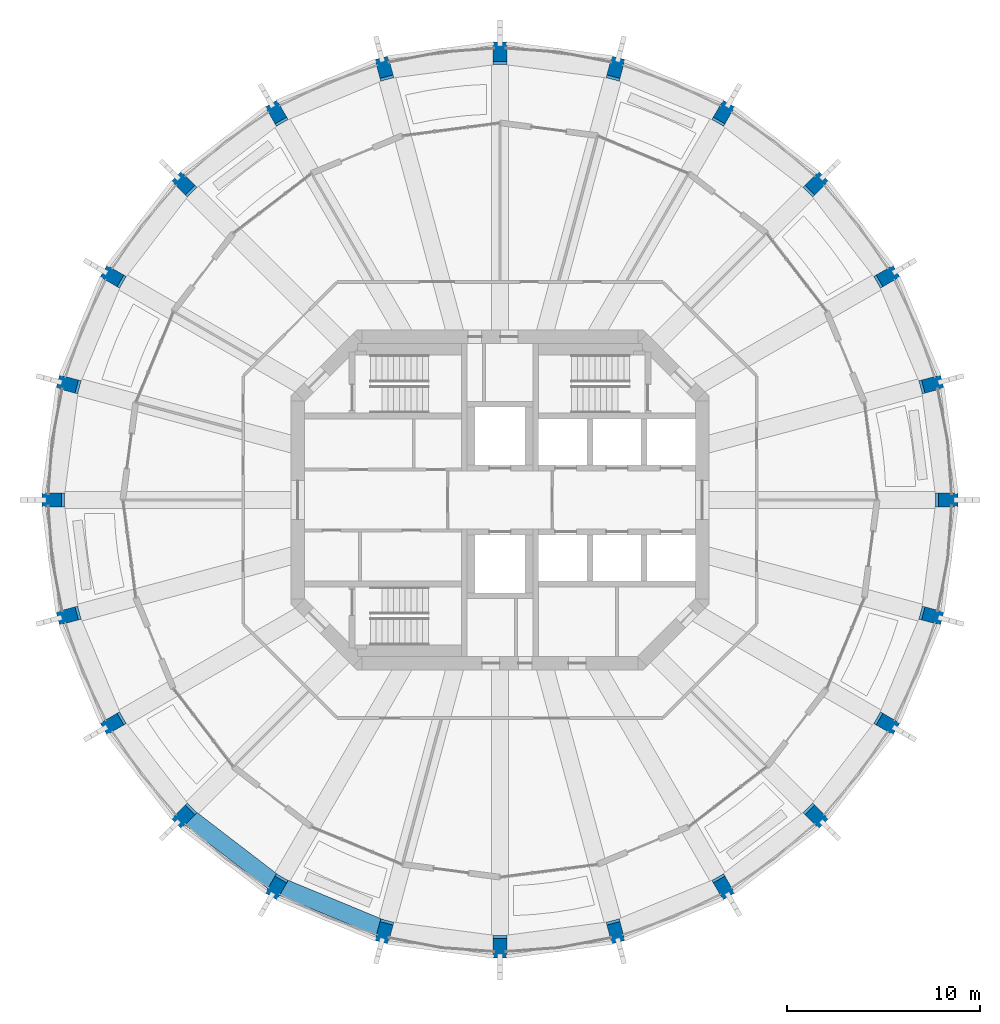
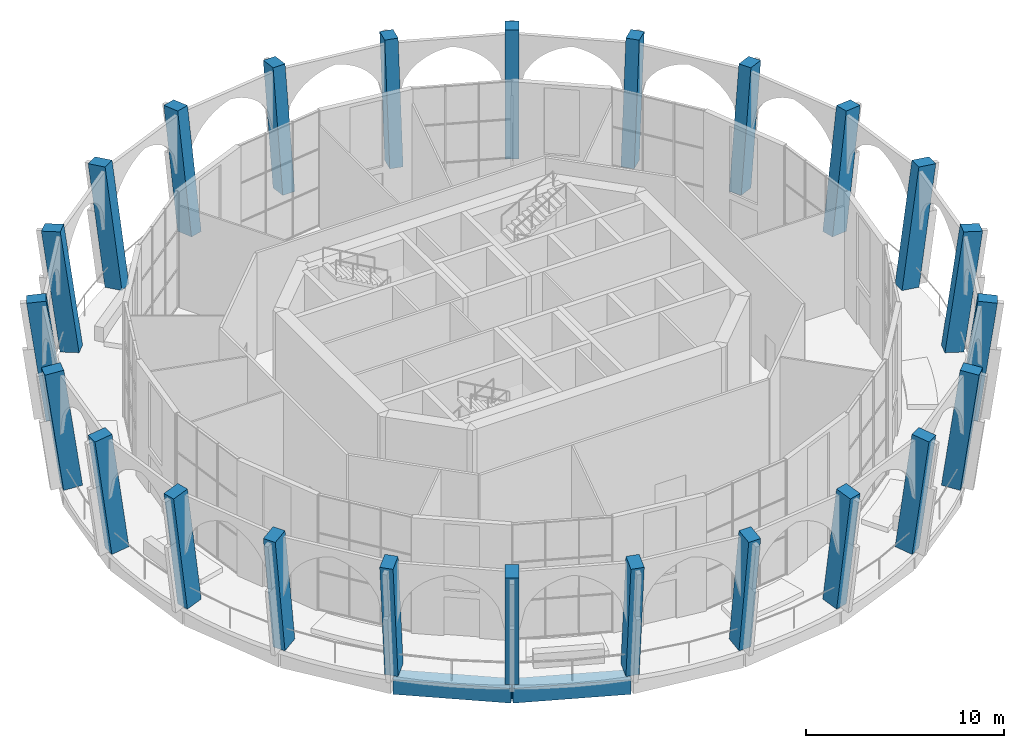
# One storey, part 1 of 16: 24 columns, 2 beams.
"""IFC4 building model written with IfcOpenShell, lengths in metres."""

from ifc_helpers import new_model, si_unit, direction, frame, origin, origin_2d, place, context, subcontext, project, spatial, rectangle, extrude, material, material_profile, profile_set, type_object, element, save


model = new_model("IFC4")

# Units and contexts
model_context = context("Model", 3, precision=1e-05, world=origin(), true_north=direction((0.0, 1.0)))
body_context = subcontext(model_context, "Body", "Model", "MODEL_VIEW")
ifc_project = project(units=[si_unit("LENGTHUNIT", "METRE"), si_unit("AREAUNIT", "SQUARE_METRE"), si_unit("VOLUMEUNIT", "CUBIC_METRE"), si_unit("PLANEANGLEUNIT", "RADIAN"), si_unit("MASSUNIT", "GRAM", prefix="KILO")], contexts=[model_context])

# Site, building, storey
site_placement = place(None, origin())
site = spatial("IfcSite", under=ifc_project, at=site_placement, CompositionType="ELEMENT")
building_placement = place(site_placement, origin())
building = spatial("IfcBuilding", under=site, at=building_placement, Name="Torre Triforio", CompositionType="ELEMENT")
storey_placement = place(building_placement, frame((0.0, 0.0, 218.699951171875)))
storey = spatial("IfcBuildingStorey", under=building, at=storey_placement, Name="L50", CompositionType="ELEMENT", Elevation=218.699951171875)

# Columns
ifc_material_1 = material(Name="Concrete C50", Category="concrete")
ifc_material_profile_1 = material_profile(ifc_material_1, rectangle(XDim=0.699951171875, YDim=1.0, at=origin_2d()), Name="RC 700x1000")
ifc_profile_set_1 = profile_set([ifc_material_profile_1], Name="Concrete C50")
column_type = type_object("IfcColumnType", Name="Pier RC 700x1000 C50", PredefinedType="COLUMN", material=ifc_profile_set_1)
for number, where, z_axis, x_axis, name in (
    (1, (23.009033203125, 0.0, 0.06689453125), (0.133921431143, 0.0, 0.990991952682), (0.0, 1.0, 0.0), "COL.R.L50.00"),
    (2, (22.22509765625, 5.955078125, 0.06689453125), (0.129359681322, 0.034662401096, 0.990991720853), (-0.258823078531, 0.965924745526, 0.0), "COL.R.L50.01"),
):
    element("IfcColumn", number, at=place(storey_placement, frame(where, z_axis=z_axis, x_axis=x_axis)), inside=storey, type_object=column_type, Name=name, PredefinedType="COLUMN", context=body_context, shape_type="SweptSolid", body=[
        extrude(rectangle(XDim=0.699951171875, YDim=1.0, at=origin_2d()), origin(), (0.0, 0.0, 1.0), 7.332275390625),
    ])
column_1_placement = place(storey_placement, frame((19.926513671875, 11.504638671875, 0.06689453125), z_axis=(0.115974555477, 0.066927607381, 0.990994751677), x_axis=(-0.499830087764, 0.866123480438, 0.0)))
element("IfcColumn", 3, at=column_1_placement, inside=storey, type_object=column_type, Name="COL.R.L50.02", PredefinedType="COLUMN", context=body_context, shape_type="SweptSolid", body=[
    extrude(rectangle(XDim=0.699951171875, YDim=1.0, at=origin_2d()), origin(), (0.0, 0.0, 1.0), 7.33203125),
])
column_2_placement = place(storey_placement, frame((16.269775390625, 16.269775390625, 0.06689453125), z_axis=(0.094697292511, 0.094697292511, 0.990991849403), x_axis=(-0.707106781187, 0.707106781187, 0.0)))
element("IfcColumn", 4, at=column_2_placement, inside=storey, type_object=column_type, Name="COL.R.L50.03", PredefinedType="COLUMN", context=body_context, shape_type="SweptSolid", body=[
    extrude(rectangle(XDim=0.699951171875, YDim=1.0, at=origin_2d()), origin(), (0.0, 0.0, 1.0), 7.332275390625),
])
column_3_placement = place(storey_placement, frame((11.504638671875, 19.926513671875, 0.06689453125), z_axis=(0.066927607381, 0.115974555477, 0.990994751677), x_axis=(-0.866123480438, 0.499830087764, 0.0)))
element("IfcColumn", 5, at=column_3_placement, inside=storey, type_object=column_type, Name="COL.R.L50.04", PredefinedType="COLUMN", context=body_context, shape_type="SweptSolid", body=[
    extrude(rectangle(XDim=0.699951171875, YDim=1.0, at=origin_2d()), origin(), (0.0, 0.0, 1.0), 7.33203125),
])
for number, where, z_axis, x_axis, name in (
    (6, (5.955078125, 22.22509765625, 0.06689453125), (0.034662401096, 0.129359681322, 0.990991720853), (-0.965924745526, 0.258823078531, 0.0), "COL.R.L50.05"),
    (7, (0.0, 23.009033203125, 0.06689453125), (0.0, 0.133921431143, 0.990991952682), (-1.0, 0.0, 0.0), "COL.R.L50.06"),
    (8, (-5.955078125, 22.22509765625, 0.06689453125), (-0.034662401096, 0.129359681322, 0.990991720853), (-0.965924745526, -0.258823078531, 0.0), "COL.R.L50.07"),
):
    element("IfcColumn", number, at=place(storey_placement, frame(where, z_axis=z_axis, x_axis=x_axis)), inside=storey, type_object=column_type, Name=name, PredefinedType="COLUMN", context=body_context, shape_type="SweptSolid", body=[
        extrude(rectangle(XDim=0.699951171875, YDim=1.0, at=origin_2d()), origin(), (0.0, 0.0, 1.0), 7.332275390625),
    ])
column_4_placement = place(storey_placement, frame((-11.504638671875, 19.926513671875, 0.06689453125), z_axis=(-0.066927607381, 0.115974555477, 0.990994751677), x_axis=(-0.866123480438, -0.499830087764, 0.0)))
element("IfcColumn", 9, at=column_4_placement, inside=storey, type_object=column_type, Name="COL.R.L50.08", PredefinedType="COLUMN", context=body_context, shape_type="SweptSolid", body=[
    extrude(rectangle(XDim=0.699951171875, YDim=1.0, at=origin_2d()), origin(), (0.0, 0.0, 1.0), 7.33203125),
])
column_5_placement = place(storey_placement, frame((-16.269775390625, 16.269775390625, 0.06689453125), z_axis=(-0.094697292511, 0.094697292511, 0.990991849403), x_axis=(-0.707106781187, -0.707106781187, 0.0)))
element("IfcColumn", 10, at=column_5_placement, inside=storey, type_object=column_type, Name="COL.R.L50.09", PredefinedType="COLUMN", context=body_context, shape_type="SweptSolid", body=[
    extrude(rectangle(XDim=0.699951171875, YDim=1.0, at=origin_2d()), origin(), (0.0, 0.0, 1.0), 7.332275390625),
])
column_6_placement = place(storey_placement, frame((-19.926513671875, 11.504638671875, 0.06689453125), z_axis=(-0.115974555477, 0.066927607381, 0.990994751677), x_axis=(-0.499830087764, -0.866123480438, 0.0)))
element("IfcColumn", 11, at=column_6_placement, inside=storey, type_object=column_type, Name="COL.R.L50.10", PredefinedType="COLUMN", context=body_context, shape_type="SweptSolid", body=[
    extrude(rectangle(XDim=0.699951171875, YDim=1.0, at=origin_2d()), origin(), (0.0, 0.0, 1.0), 7.33203125),
])
for number, where, z_axis, x_axis, name in (
    (12, (-22.22509765625, 5.955078125, 0.06689453125), (-0.129359681322, 0.034662401096, 0.990991720853), (-0.258823078531, -0.965924745526, 0.0), "COL.R.L50.11"),
    (13, (-23.009033203125, 0.0, 0.06689453125), (-0.133921431143, 0.0, 0.990991952682), (0.0, -1.0, 0.0), "COL.R.L50.12"),
    (14, (-22.22509765625, -5.955078125, 0.06689453125), (-0.129359681322, -0.034662401096, 0.990991720853), (0.258823078531, -0.965924745526, 0.0), "COL.R.L50.13"),
):
    element("IfcColumn", number, at=place(storey_placement, frame(where, z_axis=z_axis, x_axis=x_axis)), inside=storey, type_object=column_type, Name=name, PredefinedType="COLUMN", context=body_context, shape_type="SweptSolid", body=[
        extrude(rectangle(XDim=0.699951171875, YDim=1.0, at=origin_2d()), origin(), (0.0, 0.0, 1.0), 7.332275390625),
    ])
column_7_placement = place(storey_placement, frame((-19.926513671875, -11.504638671875, 0.06689453125), z_axis=(-0.115974555477, -0.066927607381, 0.990994751677), x_axis=(0.499830087764, -0.866123480438, 0.0)))
element("IfcColumn", 15, at=column_7_placement, inside=storey, type_object=column_type, Name="COL.R.L50.14", PredefinedType="COLUMN", context=body_context, shape_type="SweptSolid", body=[
    extrude(rectangle(XDim=0.699951171875, YDim=1.0, at=origin_2d()), origin(), (0.0, 0.0, 1.0), 7.33203125),
])
column_8_placement = place(storey_placement, frame((-16.269775390625, -16.269775390625, 0.06689453125), z_axis=(-0.094697292511, -0.094697292511, 0.990991849403), x_axis=(0.707106781187, -0.707106781187, 0.0)))
element("IfcColumn", 16, at=column_8_placement, inside=storey, type_object=column_type, Name="COL.R.L50.15", PredefinedType="COLUMN", context=body_context, shape_type="SweptSolid", body=[
    extrude(rectangle(XDim=0.699951171875, YDim=1.0, at=origin_2d()), origin(), (0.0, 0.0, 1.0), 7.332275390625),
])
column_9_placement = place(storey_placement, frame((-11.504638671875, -19.926513671875, 0.06689453125), z_axis=(-0.066927607381, -0.115974555477, 0.990994751677), x_axis=(0.866123480438, -0.499830087764, 0.0)))
element("IfcColumn", 17, at=column_9_placement, inside=storey, type_object=column_type, Name="COL.R.L50.16", PredefinedType="COLUMN", context=body_context, shape_type="SweptSolid", body=[
    extrude(rectangle(XDim=0.699951171875, YDim=1.0, at=origin_2d()), origin(), (0.0, 0.0, 1.0), 7.33203125),
])
for number, where, z_axis, x_axis, name in (
    (18, (-5.955078125, -22.22509765625, 0.06689453125), (-0.034662401096, -0.129359681322, 0.990991720853), (0.965924745526, -0.258823078531, 0.0), "COL.R.L50.17"),
    (19, (0.0, -23.009033203125, 0.06689453125), (0.0, -0.133921431143, 0.990991952682), (1.0, 0.0, 0.0), "COL.R.L50.18"),
    (20, (5.955078125, -22.22509765625, 0.06689453125), (0.034662401096, -0.129359681322, 0.990991720853), (0.965924745526, 0.258823078531, 0.0), "COL.R.L50.19"),
):
    element("IfcColumn", number, at=place(storey_placement, frame(where, z_axis=z_axis, x_axis=x_axis)), inside=storey, type_object=column_type, Name=name, PredefinedType="COLUMN", context=body_context, shape_type="SweptSolid", body=[
        extrude(rectangle(XDim=0.699951171875, YDim=1.0, at=origin_2d()), origin(), (0.0, 0.0, 1.0), 7.332275390625),
    ])
column_10_placement = place(storey_placement, frame((11.504638671875, -19.926513671875, 0.06689453125), z_axis=(0.066927607381, -0.115974555477, 0.990994751677), x_axis=(0.866123480438, 0.499830087764, 0.0)))
element("IfcColumn", 21, at=column_10_placement, inside=storey, type_object=column_type, Name="COL.R.L50.20", PredefinedType="COLUMN", context=body_context, shape_type="SweptSolid", body=[
    extrude(rectangle(XDim=0.699951171875, YDim=1.0, at=origin_2d()), origin(), (0.0, 0.0, 1.0), 7.33203125),
])
column_11_placement = place(storey_placement, frame((16.269775390625, -16.269775390625, 0.06689453125), z_axis=(0.094697292511, -0.094697292511, 0.990991849403), x_axis=(0.707106781187, 0.707106781187, 0.0)))
element("IfcColumn", 22, at=column_11_placement, inside=storey, type_object=column_type, Name="COL.R.L50.21", PredefinedType="COLUMN", context=body_context, shape_type="SweptSolid", body=[
    extrude(rectangle(XDim=0.699951171875, YDim=1.0, at=origin_2d()), origin(), (0.0, 0.0, 1.0), 7.332275390625),
])
column_12_placement = place(storey_placement, frame((19.926513671875, -11.504638671875, 0.06689453125), z_axis=(0.115974555477, -0.066927607381, 0.990994751677), x_axis=(0.499830087764, 0.866123480438, 0.0)))
element("IfcColumn", 23, at=column_12_placement, inside=storey, type_object=column_type, Name="COL.R.L50.22", PredefinedType="COLUMN", context=body_context, shape_type="SweptSolid", body=[
    extrude(rectangle(XDim=0.699951171875, YDim=1.0, at=origin_2d()), origin(), (0.0, 0.0, 1.0), 7.33203125),
])
column_13_placement = place(storey_placement, frame((22.22509765625, -5.955078125, 0.06689453125), z_axis=(0.129359681322, -0.034662401096, 0.990991720853), x_axis=(0.258823078531, 0.965924745526, 0.0)))
element("IfcColumn", 24, at=column_13_placement, inside=storey, type_object=column_type, Name="COL.R.L50.23", PredefinedType="COLUMN", context=body_context, shape_type="SweptSolid", body=[
    extrude(rectangle(XDim=0.699951171875, YDim=1.0, at=origin_2d()), origin(), (0.0, 0.0, 1.0), 7.332275390625),
])

# Beams
ifc_material_2 = material(Name="Concrete C40", Category="concrete")
ifc_material_profile_2 = material_profile(ifc_material_2, rectangle(XDim=0.89990234375, YDim=0.89990234375, at=origin_2d()), Name="RC 900x900")
ifc_profile_set_2 = profile_set([ifc_material_profile_2], Name="Concrete C40")
beam_type = type_object("IfcBeamType", Name="Spandrel beam RC 900x900 C40", PredefinedType="SPANDREL", material=ifc_profile_set_2)
for number, where, z_axis, x_axis, name in (
    (25, (-16.263427734375, -16.263427734375, -0.72998046875), (0.793339924758, -0.608778912074, 0.0), (0.608778912074, 0.793339924758, 0.0), "BM.S.L50.15"),
    (26, (-11.5, -19.918701171875, -0.72998046875), (0.923884511653, -0.382671411433, 0.0), (0.382671411433, 0.923884511653, 0.0), "BM.S.L50.16"),
):
    element("IfcBeam", number, at=place(storey_placement, frame(where, z_axis=z_axis, x_axis=x_axis)), inside=storey, type_object=beam_type, Name=name, PredefinedType="SPANDREL", context=body_context, shape_type="SweptSolid", body=[
        extrude(rectangle(XDim=0.89990234375, YDim=0.89990234375, at=origin_2d()), origin(), (0.0, 0.0, 1.0), 6.004150390625),
    ])

save(model, "model.ifc")
